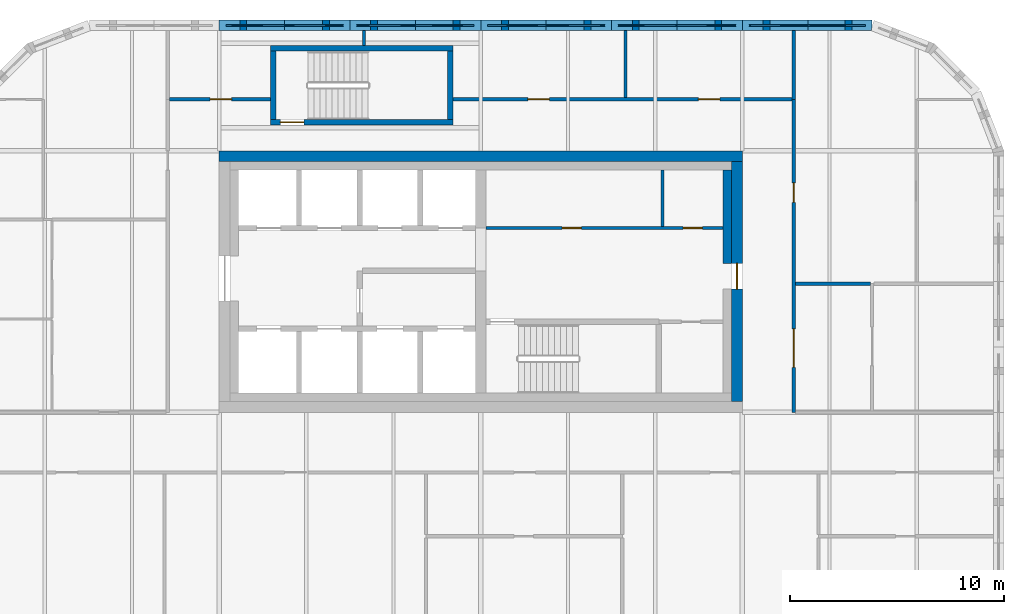
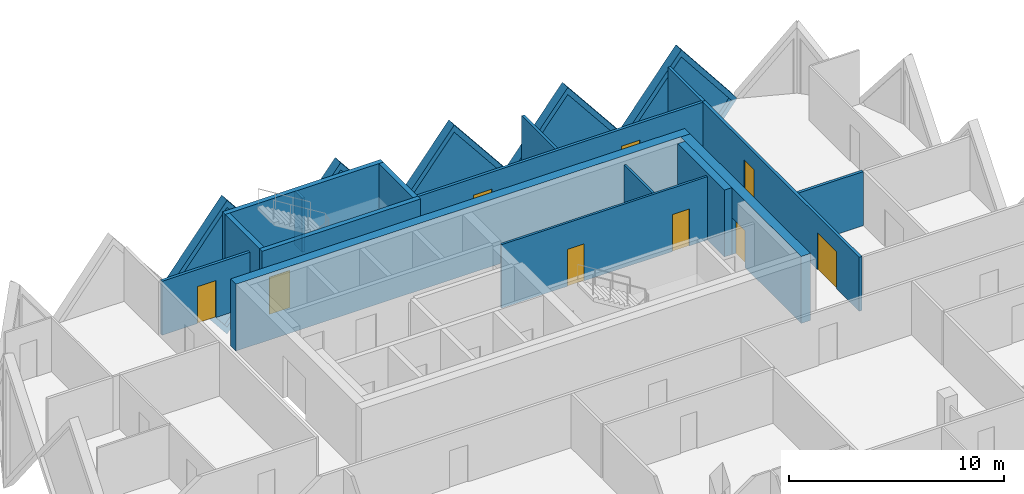
# One storey, part 15 of 19: 21 walls, 9 doors, 5 plates, 14 openings.
"""IFC4 building model written with IfcOpenShell, lengths in metres."""

from ifc_helpers import new_model, si_unit, direction, frame, frame_2d, origin, place, context, subcontext, project, spatial, polyline, rectangle, outline, extrude, faceted_brep, source, transform, mapped, material, layer, layer_set, type_object, element, fill, save


model = new_model("IFC4")

# Units and contexts
model_context = context("Model", 3, precision=1e-05, world=origin(), true_north=direction((0.0, 1.0)))
body_context = subcontext(model_context, "Body", "Model", "MODEL_VIEW")
ifc_project = project(units=[si_unit("LENGTHUNIT", "METRE"), si_unit("AREAUNIT", "SQUARE_METRE"), si_unit("VOLUMEUNIT", "CUBIC_METRE"), si_unit("PLANEANGLEUNIT", "RADIAN"), si_unit("MASSUNIT", "GRAM", prefix="KILO")], contexts=[model_context])

# Site, building, storey
site_placement = place(None, origin())
site = spatial("IfcSite", under=ifc_project, at=site_placement, CompositionType="ELEMENT")
building_placement = place(site_placement, origin())
building = spatial("IfcBuilding", under=site, at=building_placement, Name="Tessera Gate Towers", CompositionType="ELEMENT")
storey_placement = place(building_placement, frame((0.0, 0.0, 72.39990234375)))
storey = spatial("IfcBuildingStorey", under=building, at=storey_placement, Name="L17", CompositionType="ELEMENT", Elevation=72.39990234375)

# Wall, opening, door
ifc_material_1 = material(Name="Concrete C40/50", Category="concrete")
ifc_layer_1 = layer(ifc_material_1, 0.25)
ifc_layer_set_1 = layer_set([ifc_layer_1], Name="CORE ENCLOSURE WALL 250")
wall_type_1 = type_object("IfcWallType", Name="CORE ENCLOSURE WALL 250", PredefinedType="SOLIDWALL", material=ifc_layer_set_1)
wall_1_placement = place(storey_placement, frame((108.5, 50.125, 0.0), z_axis=(0.0, 0.0, 1.0), x_axis=(-1.0, 0.0, 0.0)))
wall_1 = element("IfcWall", 1, at=wall_1_placement, inside=storey, type_object=wall_type_1, Name="L17 ST7 enclosure wall", PredefinedType="SOLIDWALL", context=body_context, shape_type="SweptSolid", body=[
    extrude(rectangle(XDim=8.5, YDim=0.25, at=frame_2d((4.25, 0.0))), origin(), (0.0, 0.0, 1.0), 3.800048828125),
])
shared_shape_1 = source(origin(), body_context, "Body", "SweptSolid", [
    extrude(rectangle(XDim=1.10009765625, YDim=2.10009765625, at=frame_2d((0.550048828125, 1.050048828125))), frame((0.0, 0.135009765625, 0.0), z_axis=(0.0, -1.0, 0.0), x_axis=(1.0, 0.0, 0.0)), (0.0, 0.0, 1.0), 0.27001953125),
])
opening_1_placement = place(wall_1_placement, frame((6.949951171875, 0.0, 0.0)))
opening_1 = element("IfcOpeningElement", 2, at=opening_1_placement, cuts=wall_1, Name="Opening SD-ST7-1", PredefinedType="OPENING", context=body_context, shape_type="MappedRepresentation", body=[
    mapped(shared_shape_1, transform((0.0, 0.0, 0.0), scale=1.0)),
])
ifc_material_2 = material(Name="Hollow steel fire door", Category="steel")
door_type_1 = type_object("IfcDoorType", Name="CORE DOOR SD1100 1100x2100", OperationType="NOTDEFINED", PredefinedType="DOOR", material=ifc_material_2)
shared_shape_2 = source(origin(), body_context, "Body", "SweptSolid", [
    extrude(rectangle(XDim=1.10009765625, YDim=2.10009765625, at=frame_2d((0.550048828125, 1.050048828125))), frame((0.0, 0.02490234375, 0.0), z_axis=(0.0, -1.0, 0.0), x_axis=(1.0, 0.0, 0.0)), (0.0, 0.0, 1.0), 0.050048828125),
])
door_1_placement = place(opening_1_placement, origin())
door_1 = element("IfcDoor", 3, at=door_1_placement, inside=storey, type_object=door_type_1, Name="Stair door", OperationType="SINGLE_SWING_RIGHT", OverallHeight=2.10009765625, OverallWidth=1.10009765625, PredefinedType="DOOR", context=body_context, shape_type="MappedRepresentation", body=[
    mapped(shared_shape_2, transform((0.0, 0.0, 0.0), scale=1.0)),
])
fill(opening_1, door_1)

# Walls
wall_2_placement = place(storey_placement, frame((100.125, 50.25, 0.0), z_axis=(0.0, 0.0, 1.0), x_axis=(0.0, 1.0, 0.0)))
element("IfcWall", 4, at=wall_2_placement, inside=storey, type_object=wall_type_1, Name="L17 ST7 enclosure wall", PredefinedType="SOLIDWALL", context=body_context, shape_type="SweptSolid", body=[
    extrude(rectangle(XDim=3.199951171875, YDim=0.25, at=frame_2d((1.60009765625, 0.0))), origin(), (0.0, 0.0, 1.0), 3.800048828125),
])
wall_3_placement = place(storey_placement, frame((100.0, 53.574951171875, 0.0), z_axis=(0.0, 0.0, 1.0), x_axis=(1.0, 0.0, 0.0)))
element("IfcWall", 5, at=wall_3_placement, inside=storey, type_object=wall_type_1, Name="L17 ST7 enclosure wall", PredefinedType="SOLIDWALL", context=body_context, shape_type="SweptSolid", body=[
    extrude(rectangle(XDim=8.5, YDim=0.25, at=frame_2d((4.25, 0.0))), origin(), (0.0, 0.0, 1.0), 3.800048828125),
])
wall_4_placement = place(storey_placement, frame((108.375, 53.449951171875, 0.0), z_axis=(0.0, 0.0, 1.0), x_axis=(0.0, -1.0, 0.0)))
element("IfcWall", 6, at=wall_4_placement, inside=storey, type_object=wall_type_1, Name="L17 ST7 enclosure wall", PredefinedType="SOLIDWALL", context=body_context, shape_type="SweptSolid", body=[
    extrude(rectangle(XDim=3.199951171875, YDim=0.25, at=frame_2d((1.60009765625, 0.0))), origin(), (0.0, 0.0, 1.0), 3.800048828125),
])

# Wall, openings, doors
ifc_material_3 = material(Name="Gypsum board on steel studs", Category="steel")
ifc_layer_2 = layer(ifc_material_3, 0.1201171875)
ifc_layer_set_2 = layer_set([ifc_layer_2], Name="CORE PARTITION 120")
wall_type_2 = type_object("IfcWallType", Name="CORE PARTITION 120", PredefinedType="PARTITIONING", material=ifc_layer_set_2)
wall_5_placement = place(storey_placement, frame((110.050048828125, 45.199951171875, 0.0), z_axis=(0.0, 0.0, 1.0), x_axis=(1.0, 0.0, 0.0)))
wall_5 = element("IfcWall", 7, at=wall_5_placement, inside=storey, type_object=wall_type_2, Name="L17 core partition", PredefinedType="PARTITIONING", context=body_context, shape_type="SweptSolid", body=[
    extrude(rectangle(XDim=11.050048828125, YDim=0.1201171875, at=frame_2d((5.52490234375, 0.0))), origin(), (0.0, 0.0, 1.0), 3.60009765625),
])
shared_shape_3 = source(origin(), body_context, "Body", "SweptSolid", [
    extrude(rectangle(XDim=0.89990234375, YDim=2.10009765625, at=frame_2d((0.449951171875, 1.050048828125))), frame((0.0, 0.070068359375, 0.0), z_axis=(0.0, -1.0, 0.0), x_axis=(1.0, 0.0, 0.0)), (0.0, 0.0, 1.0), 0.14013671875),
])
opening_2_placement = place(wall_5_placement, frame((3.53759765625, 0.0, 0.0)))
opening_2 = element("IfcOpeningElement", 8, at=opening_2_placement, cuts=wall_5, Name="Opening RD-T2-10-04", PredefinedType="OPENING", context=body_context, shape_type="MappedRepresentation", body=[
    mapped(shared_shape_3, transform((0.0, 0.0, 0.0), scale=1.0)),
])
opening_3_placement = place(wall_5_placement, frame((9.1875, 0.0, 0.0)))
opening_3 = element("IfcOpeningElement", 9, at=opening_3_placement, cuts=wall_5, Name="Opening RD-T2-10-05", PredefinedType="OPENING", context=body_context, shape_type="MappedRepresentation", body=[
    mapped(shared_shape_3, transform((0.0, 0.0, 0.0), scale=1.0)),
])
ifc_material_4 = material(Name="Hollow steel fire door", Category="steel")
door_type_2 = type_object("IfcDoorType", Name="CORE DOOR RD 900x2100", OperationType="NOTDEFINED", PredefinedType="DOOR", material=ifc_material_4)
shared_shape_4 = source(origin(), body_context, "Body", "SweptSolid", [
    extrude(rectangle(XDim=0.89990234375, YDim=2.10009765625, at=frame_2d((0.449951171875, 1.050048828125))), frame((0.0, 0.02490234375, 0.0), z_axis=(0.0, -1.0, 0.0), x_axis=(1.0, 0.0, 0.0)), (0.0, 0.0, 1.0), 0.050048828125),
])
door_2_placement = place(opening_2_placement, origin())
door_2 = element("IfcDoor", 10, at=door_2_placement, inside=storey, type_object=door_type_2, Name="Core room door", OperationType="SINGLE_SWING_LEFT", OverallHeight=2.10009765625, OverallWidth=0.89990234375, PredefinedType="DOOR", context=body_context, shape_type="MappedRepresentation", body=[
    mapped(shared_shape_4, transform((0.0, 0.0, 0.0), scale=1.0)),
])
fill(opening_2, door_2)
door_3_placement = place(opening_3_placement, origin())
door_3 = element("IfcDoor", 11, at=door_3_placement, inside=storey, type_object=door_type_2, Name="Core room door", OperationType="SINGLE_SWING_RIGHT", OverallHeight=2.10009765625, OverallWidth=0.89990234375, PredefinedType="DOOR", context=body_context, shape_type="MappedRepresentation", body=[
    mapped(shared_shape_4, transform((0.0, 0.0, 0.0), scale=1.0)),
])
fill(opening_3, door_3)

# Walls
wall_6_placement = place(storey_placement, frame((118.27490234375, 45.260009765625, 0.0), z_axis=(0.0, 0.0, 1.0), x_axis=(0.0, 1.0, 0.0)))
element("IfcWall", 12, at=wall_6_placement, inside=storey, type_object=wall_type_2, Name="L17 core partition", PredefinedType="PARTITIONING", context=body_context, shape_type="SweptSolid", body=[
    extrude(rectangle(XDim=2.639892578125, YDim=0.1201171875, at=frame_2d((1.31982421875, 0.0))), origin(), (0.0, 0.0, 1.0), 3.60009765625),
])
ifc_material_5 = material(Name="Concrete C50/60", Category="concrete")
ifc_layer_3 = layer(ifc_material_5, 0.5)
ifc_layer_set_3 = layer_set([ifc_layer_3], Name="CORE SHEAR WALL 500 C50/60")
wall_type_3 = type_object("IfcWallType", Name="CORE SHEAR WALL 500 C50/60", PredefinedType="SHEAR", material=ifc_layer_set_3)
wall_7_placement = place(storey_placement, frame((97.60009765625, 48.550048828125, 0.0), z_axis=(0.0, 0.0, 1.0), x_axis=(1.0, 0.0, 0.0)))
element("IfcWall", 13, at=wall_7_placement, inside=storey, type_object=wall_type_3, Name="Core wall N L17", PredefinedType="SHEAR", context=body_context, shape_type="SweptSolid", body=[
    extrude(rectangle(XDim=24.39990234375, YDim=0.5, at=frame_2d((12.199951171875, 0.0))), origin(), (0.0, 0.0, 1.0), 3.800048828125),
])

# Wall, opening, door
wall_8_placement = place(storey_placement, frame((121.75, 48.300048828125, 0.0), z_axis=(0.0, 0.0, 1.0), x_axis=(0.0, -1.0, 0.0)))
wall_8 = element("IfcWall", 14, at=wall_8_placement, inside=storey, type_object=wall_type_3, Name="Core wall E L17", PredefinedType="SHEAR", context=body_context, shape_type="SweptSolid", body=[
    extrude(rectangle(XDim=11.199951171875, YDim=0.5, at=frame_2d((5.60009765625, 0.0))), origin(), (0.0, 0.0, 1.0), 3.800048828125),
])
shared_shape_5 = source(origin(), body_context, "Body", "SweptSolid", [
    extrude(rectangle(XDim=1.199951171875, YDim=2.10009765625, at=frame_2d((0.60009765625, 1.050048828125))), frame((0.0, 0.260009765625, 0.0), z_axis=(0.0, -1.0, 0.0), x_axis=(1.0, 0.0, 0.0)), (0.0, 0.0, 1.0), 0.52001953125),
])
opening_4_placement = place(wall_8_placement, frame((4.75, 0.0, 0.0)))
opening_4 = element("IfcOpeningElement", 15, at=opening_4_placement, cuts=wall_8, Name="Opening ED-T2-10-02", PredefinedType="OPENING", context=body_context, shape_type="MappedRepresentation", body=[
    mapped(shared_shape_5, transform((0.0, 0.0, 0.0), scale=1.0)),
])
ifc_material_6 = material(Name="Hollow steel fire door", Category="steel")
door_type_3 = type_object("IfcDoorType", Name="CORE DOOR ED 1200x2100", OperationType="NOTDEFINED", PredefinedType="DOOR", material=ifc_material_6)
shared_shape_6 = source(origin(), body_context, "Body", "SweptSolid", [
    extrude(rectangle(XDim=1.199951171875, YDim=2.10009765625, at=frame_2d((0.60009765625, 1.050048828125))), frame((0.0, 0.02490234375, 0.0), z_axis=(0.0, -1.0, 0.0), x_axis=(1.0, 0.0, 0.0)), (0.0, 0.0, 1.0), 0.050048828125),
])
door_4_placement = place(opening_4_placement, origin())
door_4 = element("IfcDoor", 16, at=door_4_placement, inside=storey, type_object=door_type_3, Name="Core exit door", OperationType="SINGLE_SWING_LEFT", OverallHeight=2.10009765625, OverallWidth=1.199951171875, PredefinedType="DOOR", context=body_context, shape_type="MappedRepresentation", body=[
    mapped(shared_shape_6, transform((0.0, 0.0, 0.0), scale=1.0)),
])
fill(opening_4, door_4)

# Wall
ifc_material_7 = material(Name="Concrete C50/60", Category="concrete")
ifc_layer_4 = layer(ifc_material_7, 0.39990234375)
ifc_layer_set_4 = layer_set([ifc_layer_4], Name="CORE WALL THICKENING 400")
wall_type_4 = type_object("IfcWallType", Name="CORE WALL THICKENING 400", PredefinedType="SOLIDWALL", material=ifc_layer_set_4)
wall_9_placement = place(storey_placement, frame((121.300048828125, 43.550048828125, 0.0), z_axis=(0.0, 0.0, 1.0), x_axis=(0.0, 1.0, 0.0)))
element("IfcWall", 17, at=wall_9_placement, inside=storey, type_object=wall_type_4, Name="Core wall thickening E L17", PredefinedType="SOLIDWALL", context=body_context, shape_type="SweptSolid", body=[
    extrude(rectangle(XDim=4.349853515625, YDim=0.39990234375, at=frame_2d((2.1748046875, 0.0))), origin(), (0.0, 0.0, 1.0), 3.800048828125),
])

# Wall, openings, doors
ifc_material_8 = material(Name="Gypsum board on steel studs, mineral wool", Category="steel")
ifc_layer_5 = layer(ifc_material_8, 0.14990234375)
ifc_layer_set_5 = layer_set([ifc_layer_5], Name="CORRIDOR WALL 150")
wall_type_5 = type_object("IfcWallType", Name="CORRIDOR WALL 150", PredefinedType="PARTITIONING", material=ifc_layer_set_5)
wall_10_placement = place(storey_placement, frame((124.39990234375, 51.199951171875, 0.0), z_axis=(0.0, 0.0, 1.0), x_axis=(0.0, -1.0, 0.0)))
wall_10 = element("IfcWall", 18, at=wall_10_placement, inside=storey, type_object=wall_type_5, Name="T2-L17-PW-030", PredefinedType="PARTITIONING", context=body_context, shape_type="SweptSolid", body=[
    extrude(rectangle(XDim=14.599853515625, YDim=0.14990234375, at=frame_2d((7.2998046875, 0.0))), origin(), (0.0, 0.0, 1.0), 3.067138671875),
])
shared_shape_7 = source(origin(), body_context, "Body", "SweptSolid", [
    extrude(rectangle(XDim=0.89990234375, YDim=2.10009765625, at=frame_2d((0.449951171875, 1.050048828125))), frame((0.0, 0.0849609375, 0.0), z_axis=(0.0, -1.0, 0.0), x_axis=(1.0, 0.0, 0.0)), (0.0, 0.0, 1.0), 0.169921875),
])
opening_5_placement = place(wall_10_placement, frame((3.89990234375, 0.0, 0.0)))
opening_5 = element("IfcOpeningElement", 19, at=opening_5_placement, cuts=wall_10, Name="Opening D890FD60-B07-02", PredefinedType="OPENING", context=body_context, shape_type="MappedRepresentation", body=[
    mapped(shared_shape_7, transform((0.0, 0.0, 0.0), scale=1.0)),
])
shared_shape_8 = source(origin(), body_context, "Body", "SweptSolid", [
    extrude(rectangle(XDim=1.800048828125, YDim=2.10009765625, at=frame_2d((0.89990234375, 1.050048828125))), frame((0.0, 0.0849609375, 0.0), z_axis=(0.0, -1.0, 0.0), x_axis=(1.0, 0.0, 0.0)), (0.0, 0.0, 1.0), 0.169921875),
])
opening_6_placement = place(wall_10_placement, frame((10.699951171875, 0.0, 0.0)))
opening_6 = element("IfcOpeningElement", 20, at=opening_6_placement, cuts=wall_10, Name="Opening D2180FD60-B07-01", PredefinedType="OPENING", context=body_context, shape_type="MappedRepresentation", body=[
    mapped(shared_shape_8, transform((0.0, 0.0, 0.0), scale=1.0)),
])
ifc_material_9 = material(Name="Timber door leaf in steel frame", Category="steel")
door_type_4 = type_object("IfcDoorType", Name="CORRIDOR DOOR 900 FD60", OperationType="NOTDEFINED", PredefinedType="DOOR", material=ifc_material_9)
door_5_placement = place(opening_5_placement, origin())
door_5 = element("IfcDoor", 21, at=door_5_placement, inside=storey, type_object=door_type_4, Name="T2-L17-PD-020", OperationType="SINGLE_SWING_RIGHT", OverallHeight=2.10009765625, OverallWidth=0.89990234375, PredefinedType="DOOR", context=body_context, shape_type="MappedRepresentation", body=[
    mapped(shared_shape_4, transform((0.0, 0.0, 0.0), scale=1.0)),
])
fill(opening_5, door_5)
ifc_material_10 = material(Name="Timber door leaf in steel frame", Category="steel")
door_type_5 = type_object("IfcDoorType", Name="TENANCY ENTRANCE DOUBLE DOOR 1800 FD60", OperationType="NOTDEFINED", PredefinedType="DOOR", material=ifc_material_10)
shared_shape_9 = source(origin(), body_context, "Body", "SweptSolid", [
    extrude(rectangle(XDim=1.800048828125, YDim=2.10009765625, at=frame_2d((0.89990234375, 1.050048828125))), frame((0.0, 0.02490234375, 0.0), z_axis=(0.0, -1.0, 0.0), x_axis=(1.0, 0.0, 0.0)), (0.0, 0.0, 1.0), 0.050048828125),
])
door_6_placement = place(opening_6_placement, origin())
door_6 = element("IfcDoor", 22, at=door_6_placement, inside=storey, type_object=door_type_5, Name="T2-L17-PD-025", OperationType="DOUBLE_DOOR_SINGLE_SWING", OverallHeight=2.10009765625, OverallWidth=1.800048828125, PredefinedType="DOOR", context=body_context, shape_type="MappedRepresentation", body=[
    mapped(shared_shape_9, transform((0.0, 0.0, 0.0), scale=1.0)),
])
fill(opening_6, door_6)

# Wall, opening, door
wall_11_placement = place(storey_placement, frame((95.27587890625, 51.199951171875, 0.0), z_axis=(0.0, 0.0, 1.0), x_axis=(1.0, 0.0, 0.0)))
wall_11 = element("IfcWall", 23, at=wall_11_placement, inside=storey, type_object=wall_type_5, Name="T2-L17-PW-045", PredefinedType="PARTITIONING", context=body_context, shape_type="SweptSolid", body=[
    extrude(rectangle(XDim=4.72412109375, YDim=0.14990234375, at=frame_2d((2.362060546875, 0.0))), origin(), (0.0, 0.0, 1.0), 3.067138671875),
])
shared_shape_10 = source(origin(), body_context, "Body", "SweptSolid", [
    extrude(rectangle(XDim=1.0, YDim=2.10009765625, at=frame_2d((0.5, 1.050048828125))), frame((0.0, 0.0849609375, 0.0), z_axis=(0.0, -1.0, 0.0), x_axis=(1.0, 0.0, 0.0)), (0.0, 0.0, 1.0), 0.169921875),
])
opening_7_placement = place(wall_11_placement, frame((1.89990234375, 0.0, 0.0)))
opening_7 = element("IfcOpeningElement", 24, at=opening_7_placement, cuts=wall_11, Name="Opening D2100FD60-B07-01", PredefinedType="OPENING", context=body_context, shape_type="MappedRepresentation", body=[
    mapped(shared_shape_10, transform((0.0, 0.0, 0.0), scale=1.0)),
])
ifc_material_11 = material(Name="Timber door leaf in steel frame", Category="steel")
door_type_6 = type_object("IfcDoorType", Name="TENANCY ENTRANCE DOOR 1000 FD60", OperationType="NOTDEFINED", PredefinedType="DOOR", material=ifc_material_11)
shared_shape_11 = source(origin(), body_context, "Body", "SweptSolid", [
    extrude(rectangle(XDim=1.0, YDim=2.10009765625, at=frame_2d((0.5, 1.050048828125))), frame((0.0, 0.02490234375, 0.0), z_axis=(0.0, -1.0, 0.0), x_axis=(1.0, 0.0, 0.0)), (0.0, 0.0, 1.0), 0.050048828125),
])
door_7_placement = place(opening_7_placement, origin())
door_7 = element("IfcDoor", 25, at=door_7_placement, inside=storey, type_object=door_type_6, Name="T2-L17-PD-006", OperationType="SINGLE_SWING_LEFT", OverallHeight=2.10009765625, OverallWidth=1.0, PredefinedType="DOOR", context=body_context, shape_type="MappedRepresentation", body=[
    mapped(shared_shape_11, transform((0.0, 0.0, 0.0), scale=1.0)),
])
fill(opening_7, door_7)

# Wall, openings, doors
wall_12_placement = place(storey_placement, frame((108.5, 51.199951171875, 0.0), z_axis=(0.0, 0.0, 1.0), x_axis=(1.0, 0.0, 0.0)))
wall_12 = element("IfcWall", 26, at=wall_12_placement, inside=storey, type_object=wall_type_5, Name="T2-L17-PW-046", PredefinedType="PARTITIONING", context=body_context, shape_type="SweptSolid", body=[
    extrude(rectangle(XDim=15.823974609375, YDim=0.14990234375, at=frame_2d((7.912109375, 0.0))), origin(), (0.0, 0.0, 1.0), 3.067138671875),
])
opening_8_placement = place(wall_12_placement, frame((11.450927734375, 0.0, 0.0)))
opening_8 = element("IfcOpeningElement", 27, at=opening_8_placement, cuts=wall_12, Name="Opening D2100FD60-B07-02", PredefinedType="OPENING", context=body_context, shape_type="MappedRepresentation", body=[
    mapped(shared_shape_10, transform((0.0, 0.0, 0.0), scale=1.0)),
])
opening_9_placement = place(wall_12_placement, frame((3.5, 0.0, 0.0)))
opening_9 = element("IfcOpeningElement", 28, at=opening_9_placement, cuts=wall_12, Name="Opening D2100FD60-B07-03", PredefinedType="OPENING", context=body_context, shape_type="MappedRepresentation", body=[
    mapped(shared_shape_10, transform((0.0, 0.0, 0.0), scale=1.0)),
])
door_8_placement = place(opening_8_placement, origin())
door_8 = element("IfcDoor", 29, at=door_8_placement, inside=storey, type_object=door_type_6, Name="T2-L17-PD-015", OperationType="SINGLE_SWING_LEFT", OverallHeight=2.10009765625, OverallWidth=1.0, PredefinedType="DOOR", context=body_context, shape_type="MappedRepresentation", body=[
    mapped(shared_shape_11, transform((0.0, 0.0, 0.0), scale=1.0)),
])
fill(opening_8, door_8)
door_9_placement = place(opening_9_placement, origin())
door_9 = element("IfcDoor", 30, at=door_9_placement, inside=storey, type_object=door_type_6, Name="T2-L17-PD-017", OperationType="SINGLE_SWING_LEFT", OverallHeight=2.10009765625, OverallWidth=1.0, PredefinedType="DOOR", context=body_context, shape_type="MappedRepresentation", body=[
    mapped(shared_shape_11, transform((0.0, 0.0, 0.0), scale=1.0)),
])
fill(opening_9, door_9)

# Walls
ifc_material_12 = material(Name="Gypsum board on steel studs, mineral wool", Category="steel")
ifc_layer_6 = layer(ifc_material_12, 0.14990234375)
ifc_layer_set_6 = layer_set([ifc_layer_6], Name="TENANCY WALL 150")
wall_type_6 = type_object("IfcWallType", Name="TENANCY WALL 150", PredefinedType="PARTITIONING", material=ifc_layer_set_6)
wall_13_placement = place(storey_placement, frame((124.47607421875, 42.60009765625, 0.0), z_axis=(0.0, 0.0, 1.0), x_axis=(1.0, 0.0, 0.0)))
element("IfcWall", 31, at=wall_13_placement, inside=storey, type_object=wall_type_6, Name="T2-L17-PW-036", PredefinedType="PARTITIONING", context=body_context, shape_type="SweptSolid", body=[
    extrude(rectangle(XDim=3.498046875, YDim=0.14990234375, at=frame_2d((1.7490234375, 0.0))), origin(), (0.0, 0.0, 1.0), 3.067138671875),
])
wall_14_placement = place(storey_placement, frame((124.39990234375, 51.200927734375, 0.0), z_axis=(0.0, 0.0, 1.0), x_axis=(0.0, 1.0, 0.0)))
element("IfcWall", 32, at=wall_14_placement, inside=storey, type_object=wall_type_6, Name="T2-L17-PW-047", PredefinedType="PARTITIONING", context=body_context, shape_type="SweptSolid", body=[
    extrude(rectangle(XDim=3.198974609375, YDim=0.14990234375, at=frame_2d((1.599609375, 0.0))), origin(), (0.0, 0.0, 1.0), 3.067138671875),
])
wall_15_placement = place(storey_placement, frame((116.550048828125, 51.27587890625, 0.0), z_axis=(0.0, 0.0, 1.0), x_axis=(0.0, 1.0, 0.0)))
element("IfcWall", 33, at=wall_15_placement, inside=storey, type_object=wall_type_6, Name="T2-L17-PW-049", PredefinedType="PARTITIONING", context=body_context, shape_type="SweptSolid", body=[
    extrude(rectangle(XDim=3.1240234375, YDim=0.14990234375, at=frame_2d((1.56201171875, 0.0))), origin(), (0.0, 0.0, 1.0), 3.067138671875),
])
wall_16_placement = place(storey_placement, frame((104.35009765625, 53.699951171875, 0.0), z_axis=(0.0, 0.0, 1.0), x_axis=(0.0, 1.0, 0.0)))
element("IfcWall", 34, at=wall_16_placement, inside=storey, type_object=wall_type_6, Name="T2-L17-PW-050", PredefinedType="PARTITIONING", context=body_context, shape_type="SweptSolid", body=[
    extrude(rectangle(XDim=0.699951171875, YDim=0.14990234375, at=frame_2d((0.35009765625, 0.0))), origin(), (0.0, 0.0, 1.0), 3.067138671875),
])

# Wall, opening, plate
ifc_material_13 = material(Name="Precast concrete C60/75 white", Category="concrete")
ifc_layer_7 = layer(ifc_material_13, 0.5)
ifc_layer_set_7 = layer_set([ifc_layer_7], Name="TS1 tessera")
wall_type_7 = type_object("IfcWallType", Name="TS1 tessera", PredefinedType="SOLIDWALL", material=ifc_layer_set_7)
shared_shape_12 = source(origin(), body_context, "Body", "Brep", [
    faceted_brep([(3.050048828125, -0.25, 0.0), (6.099853515625, -0.25, 3.799560546875), (6.099853515625, -0.25, 3.800048828125), (3.050048828125, -0.25, 7.599853515625), (0.0, -0.25, 3.7998046875), (0.0, 0.25, 3.7998046875), (3.050048828125, 0.25, 7.599853515625), (6.099853515625, 0.25, 3.800048828125), (6.099853515625, 0.25, 3.799560546875), (3.050048828125, 0.25, 0.0)], [[[0, 1, 2, 3, 4]], [[5, 6, 7, 8, 9]], [[9, 8, 1, 0]], [[7, 6, 3, 2]], [[6, 5, 4, 3]], [[5, 9, 0, 4]], [[1, 8, 7, 2]]]),
])
wall_17_placement = place(storey_placement, frame((115.89990234375, 54.64990234375, -3.7998046875), z_axis=(0.0, 0.0, 1.0), x_axis=(-1.0, 0.0, 0.0)))
wall_17 = element("IfcWall", 35, at=wall_17_placement, inside=storey, type_object=wall_type_7, Name="Precast tessera T2 TS1-0191", PredefinedType="SOLIDWALL", context=body_context, shape_type="MappedRepresentation", body=[
    mapped(shared_shape_12, transform((0.0, 0.0, 0.0), scale=1.0)),
])
shared_shape_13 = source(origin(), body_context, "Body", "SweptSolid", [
    extrude(outline(polyline([(3.050048828125, 0.3994140625), (5.779541015625, 3.7998046875), (3.050048828125, 7.200439453125), (0.320556640625, 3.7998046875), (3.050048828125, 0.3994140625)])), frame((0.0, 0.260009765625, 0.0), z_axis=(0.0, -1.0, 0.0), x_axis=(1.0, 0.0, 0.0)), (0.0, 0.0, 1.0), 0.52001953125),
])
opening_10_placement = place(wall_17_placement, origin())
opening_10 = element("IfcOpeningElement", 36, at=opening_10_placement, cuts=wall_17, Name="Opening T2-PL2-0359", PredefinedType="OPENING", context=body_context, shape_type="MappedRepresentation", body=[
    mapped(shared_shape_13, transform((0.0, 0.0, 0.0), scale=1.0)),
])
ifc_material_14 = material(Name="Low-e laminated glass", Category="glass")
ifc_layer_8 = layer(ifc_material_14, 0.06005859375)
ifc_layer_set_8 = layer_set([ifc_layer_8], Name="PL2 rhombic pane")
plate_type = type_object("IfcPlateType", Name="PL2 rhombic pane", PredefinedType="SHEET", material=ifc_layer_set_8)
shared_shape_14 = source(origin(), body_context, "Body", "SweptSolid", [
    extrude(outline(polyline([(3.050048828125, 0.3994140625), (5.779541015625, 3.7998046875), (3.050048828125, 7.200439453125), (0.320556640625, 3.7998046875), (3.050048828125, 0.3994140625)])), frame((0.0, 0.030029296875, 0.0), z_axis=(0.0, -1.0, 0.0), x_axis=(1.0, 0.0, 0.0)), (0.0, 0.0, 1.0), 0.06005859375),
])
plate_1_placement = place(opening_10_placement, origin())
plate_1 = element("IfcPlate", 37, at=plate_1_placement, inside=storey, type_object=plate_type, Name="Glass pane T2 PL2-0359", PredefinedType="SHEET", context=body_context, shape_type="MappedRepresentation", body=[
    mapped(shared_shape_14, transform((0.0, 0.0, 0.0), scale=1.0)),
])
fill(opening_10, plate_1)

wall_18_placement = place(storey_placement, frame((103.699951171875, 54.64990234375, -3.7998046875), z_axis=(0.0, 0.0, 1.0), x_axis=(-1.0, 0.0, 0.0)))
wall_18 = element("IfcWall", 38, at=wall_18_placement, inside=storey, type_object=wall_type_7, Name="Precast tessera T2 TS1-0193", PredefinedType="SOLIDWALL", context=body_context, shape_type="MappedRepresentation", body=[
    mapped(shared_shape_12, transform((0.0, 0.0, 0.0), scale=1.0)),
])
opening_11_placement = place(wall_18_placement, origin())
opening_11 = element("IfcOpeningElement", 39, at=opening_11_placement, cuts=wall_18, Name="Opening T2-PL2-0361", PredefinedType="OPENING", context=body_context, shape_type="MappedRepresentation", body=[
    mapped(shared_shape_13, transform((0.0, 0.0, 0.0), scale=1.0)),
])
plate_2_placement = place(opening_11_placement, origin())
plate_2 = element("IfcPlate", 40, at=plate_2_placement, inside=storey, type_object=plate_type, Name="Glass pane T2 PL2-0361", PredefinedType="SHEET", context=body_context, shape_type="MappedRepresentation", body=[
    mapped(shared_shape_14, transform((0.0, 0.0, 0.0), scale=1.0)),
])
fill(opening_11, plate_2)

shared_shape_15 = source(origin(), body_context, "Body", "SweptSolid", [
    extrude(outline(polyline([(3.050048828125, 0.0), (6.10009765625, 3.7998046875), (3.050048828125, 7.599853515625), (0.0, 3.7998046875), (3.050048828125, 0.0)])), frame((0.0, 0.25, 0.0), z_axis=(0.0, -1.0, 0.0), x_axis=(1.0, 0.0, 0.0)), (0.0, 0.0, 1.0), 0.5),
])
wall_19_placement = place(storey_placement, frame((122.0, 54.64990234375, -3.7998046875), z_axis=(0.0, 0.0, 1.0), x_axis=(-1.0, 0.0, 0.0)))
wall_19 = element("IfcWall", 41, at=wall_19_placement, inside=storey, type_object=wall_type_7, Name="Precast tessera T2 TS1-0190", PredefinedType="SOLIDWALL", context=body_context, shape_type="MappedRepresentation", body=[
    mapped(shared_shape_15, transform((0.0, 0.0, 0.0), scale=1.0)),
])
opening_12_placement = place(wall_19_placement, origin())
opening_12 = element("IfcOpeningElement", 42, at=opening_12_placement, cuts=wall_19, Name="Opening T2-PL2-0358", PredefinedType="OPENING", context=body_context, shape_type="MappedRepresentation", body=[
    mapped(shared_shape_13, transform((0.0, 0.0, 0.0), scale=1.0)),
])
plate_3_placement = place(opening_12_placement, origin())
plate_3 = element("IfcPlate", 43, at=plate_3_placement, inside=storey, type_object=plate_type, Name="Glass pane T2 PL2-0358", PredefinedType="SHEET", context=body_context, shape_type="MappedRepresentation", body=[
    mapped(shared_shape_14, transform((0.0, 0.0, 0.0), scale=1.0)),
])
fill(opening_12, plate_3)

wall_20_placement = place(storey_placement, frame((109.800048828125, 54.64990234375, -3.7998046875), z_axis=(0.0, 0.0, 1.0), x_axis=(-1.0, 0.0, 0.0)))
wall_20 = element("IfcWall", 44, at=wall_20_placement, inside=storey, type_object=wall_type_7, Name="Precast tessera T2 TS1-0192", PredefinedType="SOLIDWALL", context=body_context, shape_type="MappedRepresentation", body=[
    mapped(shared_shape_15, transform((0.0, 0.0, 0.0), scale=1.0)),
])
opening_13_placement = place(wall_20_placement, origin())
opening_13 = element("IfcOpeningElement", 45, at=opening_13_placement, cuts=wall_20, Name="Opening T2-PL2-0360", PredefinedType="OPENING", context=body_context, shape_type="MappedRepresentation", body=[
    mapped(shared_shape_13, transform((0.0, 0.0, 0.0), scale=1.0)),
])
plate_4_placement = place(opening_13_placement, origin())
plate_4 = element("IfcPlate", 46, at=plate_4_placement, inside=storey, type_object=plate_type, Name="Glass pane T2 PL2-0360", PredefinedType="SHEET", context=body_context, shape_type="MappedRepresentation", body=[
    mapped(shared_shape_14, transform((0.0, 0.0, 0.0), scale=1.0)),
])
fill(opening_13, plate_4)

shared_shape_16 = source(origin(), body_context, "Body", "Brep", [
    faceted_brep([(3.00341796875, -0.25, 0.0), (6.053466796875, -0.25, 3.7998046875), (3.00341796875, -0.25, 7.599853515625), (0.0, -0.25, 3.7998046875), (0.046630859375, 0.25, 3.858642578125), (3.00341796875, 0.25, 7.599853515625), (6.053466796875, 0.25, 3.7998046875), (3.00341796875, 0.25, 0.0), (0.046630859375, 0.25, 3.740966796875), (0.0, 0.0, 3.7998046875)], [[[0, 1, 2, 3]], [[4, 5, 6, 7, 8]], [[7, 6, 1, 0]], [[6, 5, 2, 1]], [[5, 4, 9, 3, 2]], [[8, 7, 0, 3, 9]], [[8, 9, 4]]]),
])
wall_21_placement = place(storey_placement, frame((128.053466796875, 54.64990234375, -3.7998046875), z_axis=(0.0, 0.0, 1.0), x_axis=(-1.0, 0.0, 0.0)))
wall_21 = element("IfcWall", 47, at=wall_21_placement, inside=storey, type_object=wall_type_7, Name="Precast tessera T2 TS1-0189", PredefinedType="SOLIDWALL", context=body_context, shape_type="MappedRepresentation", body=[
    mapped(shared_shape_16, transform((0.0, 0.0, 0.0), scale=1.0)),
])
shared_shape_17 = source(origin(), body_context, "Body", "SweptSolid", [
    extrude(outline(polyline([(3.0048828125, 0.401123046875), (5.73291015625, 3.7998046875), (3.0048828125, 7.19873046875), (0.318603515625, 3.7998046875), (3.0048828125, 0.401123046875)])), frame((0.0, 0.260009765625, 0.0), z_axis=(0.0, -1.0, 0.0), x_axis=(1.0, 0.0, 0.0)), (0.0, 0.0, 1.0), 0.52001953125),
])
opening_14_placement = place(wall_21_placement, origin())
opening_14 = element("IfcOpeningElement", 48, at=opening_14_placement, cuts=wall_21, Name="Opening T2-PL2-0357", PredefinedType="OPENING", context=body_context, shape_type="MappedRepresentation", body=[
    mapped(shared_shape_17, transform((0.0, 0.0, 0.0), scale=1.0)),
])
shared_shape_18 = source(origin(), body_context, "Body", "SweptSolid", [
    extrude(outline(polyline([(3.0048828125, 0.401123046875), (5.73291015625, 3.7998046875), (3.0048828125, 7.19873046875), (0.318603515625, 3.7998046875), (3.0048828125, 0.401123046875)])), frame((0.0, 0.030029296875, 0.0), z_axis=(0.0, -1.0, 0.0), x_axis=(1.0, 0.0, 0.0)), (0.0, 0.0, 1.0), 0.06005859375),
])
plate_5_placement = place(opening_14_placement, origin())
plate_5 = element("IfcPlate", 49, at=plate_5_placement, inside=storey, type_object=plate_type, Name="Glass pane T2 PL2-0357", PredefinedType="SHEET", context=body_context, shape_type="MappedRepresentation", body=[
    mapped(shared_shape_18, transform((0.0, 0.0, 0.0), scale=1.0)),
])
fill(opening_14, plate_5)

save(model, "model.ifc")
